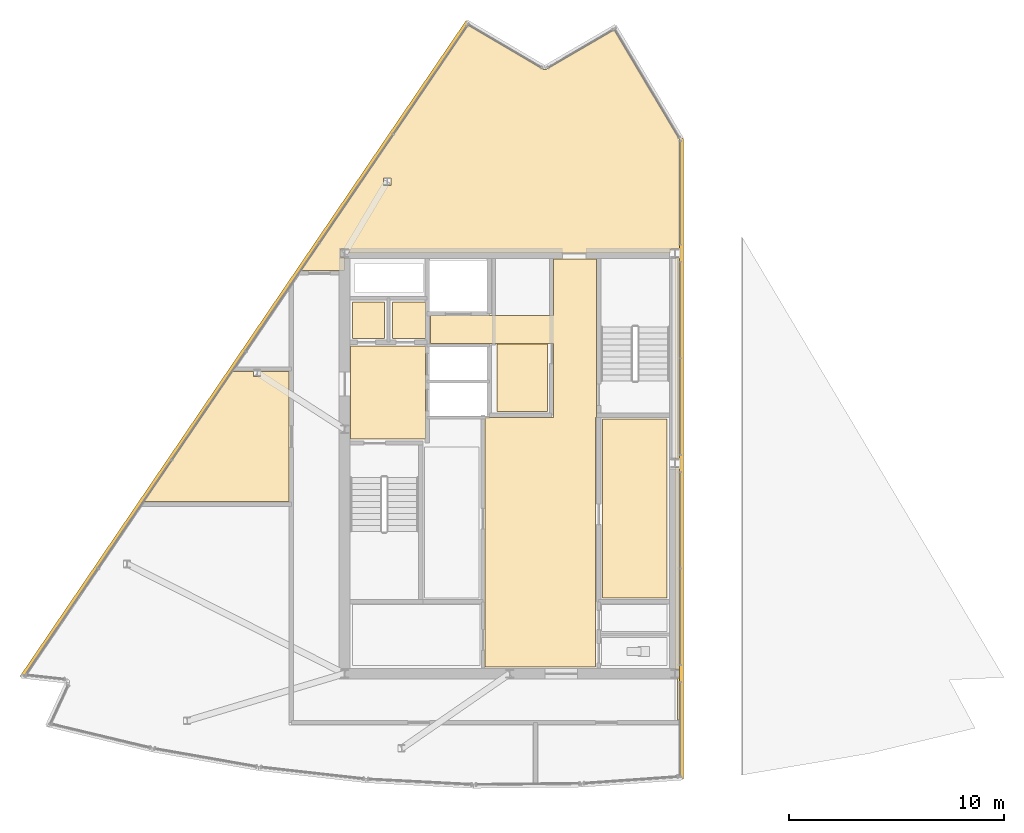
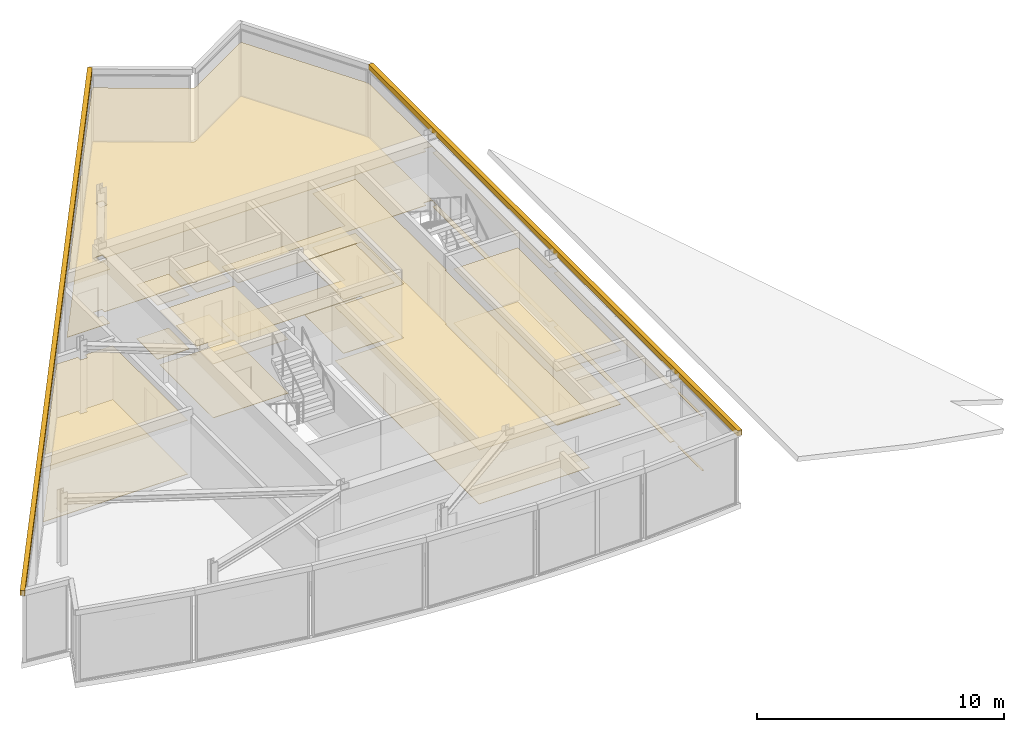
# One storey, part 8 of 10: 18 coverings.
"""IFC4 building model written with IfcOpenShell, lengths in metres."""

import ifcopenshell
import ifcopenshell.guid

model = None  # the IFC model being written
_history = None  # IfcOwnerHistory: only IFC2X3 demands one
_inside = {}  # id of a spatial element -> (the spatial element, [elements in it])
_under = {}  # id of a project, library or spatial element -> (it, [spatial elements below it])
_declared = {}  # id of a project -> (the project, [libraries it declares])
_typed = {}  # id of a type object -> (the type object, [elements of that type])
_made_of = {}  # id of a material, layer set ... -> (it, [elements and type objects made of it])


def new_model(schema):
    """Start an empty IFC model of exactly this schema.

    Asked for "IFC4X3", IfcOpenShell would pick the latest addendum, in which some entities
    have other attributes; the version numbers below select the first issue.
    IFC2X3 requires an IfcOwnerHistory on every rooted entity: one is made here for all.
    """
    global model, _history
    if schema == "IFC4X3":
        model = ifcopenshell.file(schema_version=(4, 3, 0, 0))
    else:
        model = ifcopenshell.file(schema=schema)
    _inside.clear()
    _under.clear()
    _declared.clear()
    _typed.clear()
    _made_of.clear()
    _history = None
    if model.schema == "IFC2X3":
        org = make("IfcOrganization", Name="unknown")
        user = make(
            "IfcPersonAndOrganization",
            ThePerson=make("IfcPerson", FamilyName="unknown"),
            TheOrganization=org,
        )
        app = make(
            "IfcApplication",
            ApplicationDeveloper=org,
            Version="unknown",
            ApplicationFullName="unknown",
            ApplicationIdentifier="unknown",
        )
        _history = make(
            "IfcOwnerHistory",
            OwningUser=user,
            OwningApplication=app,
            ChangeAction="ADDED",
            CreationDate=0,
        )
    return model


def make(cls, **values):
    """One entity of the class cls with the attributes given. An attribute that is None is left unset."""
    return model.create_entity(
        cls, **{name: value for name, value in values.items() if value is not None}
    )


def rooted(cls, **values):
    """An entity with a GlobalId (a new one), such as an element, a storey or a relation."""
    return make(cls, GlobalId=ifcopenshell.guid.new(), OwnerHistory=_history, **values)


def si_unit(unit_type, name, prefix=None):
    """IfcSIUnit, for example si_unit("LENGTHUNIT", "METRE", prefix="MILLI")."""
    return make("IfcSIUnit", UnitType=unit_type, Prefix=prefix, Name=name)


def assignment(units):
    """IfcUnitAssignment: the units of a project."""
    return None if units is None else make("IfcUnitAssignment", Units=units)


def point(xyz):
    """IfcCartesianPoint."""
    return None if xyz is None else make("IfcCartesianPoint", Coordinates=xyz)


def direction(xyz):
    """IfcDirection."""
    return None if xyz is None else make("IfcDirection", DirectionRatios=xyz)


def frame(location, z_axis=None, x_axis=None):
    """IfcAxis2Placement3D, a coordinate frame: its origin and axes. An axis left out is left unset."""
    return make(
        "IfcAxis2Placement3D",
        Location=point(location),
        Axis=direction(z_axis),
        RefDirection=direction(x_axis),
    )


def origin():
    """The frame at (0, 0, 0) with its axes left unset."""
    return frame((0.0, 0.0, 0.0))


def place(relative_to, where):
    """IfcLocalPlacement: puts the frame where relative to a parent placement (None: the world)."""
    return make(
        "IfcLocalPlacement", PlacementRelTo=relative_to, RelativePlacement=where
    )


def context(
    kind, dimensions, precision=None, world=None, true_north=None, identifier=None
):
    """IfcGeometricRepresentationContext, for example the 3D "Model" context."""
    return make(
        "IfcGeometricRepresentationContext",
        ContextIdentifier=identifier,
        ContextType=kind,
        CoordinateSpaceDimension=dimensions,
        Precision=precision,
        WorldCoordinateSystem=world,
        TrueNorth=true_north,
    )


def subcontext(parent, identifier, kind, view, scale=None):
    """IfcGeometricRepresentationSubContext, for example "Body" below "Model"."""
    return make(
        "IfcGeometricRepresentationSubContext",
        ContextIdentifier=identifier,
        ContextType=kind,
        ParentContext=parent,
        TargetScale=scale,
        TargetView=view,
    )


def project(units=None, contexts=None):
    """IfcProject with its units and contexts."""
    return rooted(
        "IfcProject",
        Name="project",
        RepresentationContexts=contexts,
        UnitsInContext=assignment(units),
    )


def spatial(cls, under=None, at=None, **own):
    """A site, building, storey or space (cls), placed at a placement, below another one or the project."""
    s = rooted(cls, ObjectPlacement=at, **own)
    if under is not None:
        _under.setdefault(under.id(), (under, []))[1].append(s)
    return s


def polyline(points):
    """IfcPolyline through the points."""
    return make("IfcPolyline", Points=[point(p) for p in points])


def outline(outer, holes=None, kind="AREA"):
    """IfcArbitraryClosedProfileDef: a profile drawn as a closed curve; with holes, ...WithVoids."""
    if holes is None:
        return make("IfcArbitraryClosedProfileDef", ProfileType=kind, OuterCurve=outer)
    return make(
        "IfcArbitraryProfileDefWithVoids",
        ProfileType=kind,
        OuterCurve=outer,
        InnerCurves=holes,
    )


def extrude(swept, where, along, depth):
    """IfcExtrudedAreaSolid: the profile swept, set in the frame where, extruded along a direction by depth."""
    return make(
        "IfcExtrudedAreaSolid",
        SweptArea=swept,
        Position=where,
        ExtrudedDirection=direction(along),
        Depth=depth,
    )


def shape(context_of_items, identifier, shape_type, items):
    """IfcShapeRepresentation: the items that make up one representation, for example the "Body"."""
    return make(
        "IfcShapeRepresentation",
        ContextOfItems=context_of_items,
        RepresentationIdentifier=identifier,
        RepresentationType=shape_type,
        Items=items,
    )


def material(Name=None, Category=None):
    """IfcMaterial."""
    return make("IfcMaterial", Name=Name, Category=Category)


def layer(
    of_material, thickness, ventilated=None, Name=None, Category=None, Priority=None
):
    """IfcMaterialLayer: one layer of a wall or slab, of a material (None: an air gap)."""
    return make(
        "IfcMaterialLayer",
        Material=of_material,
        LayerThickness=thickness,
        IsVentilated=ventilated,
        Name=Name,
        Category=Category,
        Priority=Priority,
    )


def layer_set(layers, Name=None):
    """IfcMaterialLayerSet."""
    return make("IfcMaterialLayerSet", MaterialLayers=layers, LayerSetName=Name)


def made_of(thing, what):
    """Note that an element or type object is made of a material, layer set ...; save() writes the relation."""
    if what is not None:
        _made_of.setdefault(what.id(), (what, []))[1].append(thing)
    return thing


def type_object(cls, material=None, **own):
    """A type object (cls), such as IfcWallType, which elements share."""
    return made_of(rooted(cls, **own), material)


def element(
    cls,
    number,
    at=None,
    inside=None,
    cuts=None,
    type_object=None,
    material=None,
    context=None,
    identifier="Body",
    shape_type=None,
    held_by="IfcProductDefinitionShape",
    body=None,
    shapes=None,
    **own,
):
    """One element of the class cls, such as IfcWall. Its Tag is "e" and its number.

    at: its placement. inside: the storey or other place that contains it. cuts: it is an
    opening in that element (IfcRelVoidsElement). A single representation is given by context,
    identifier, shape_type and body (its items); several are given by shapes. held_by: the class
    of the entity that holds the representations. save() writes the other relations.
    """
    e = rooted(cls, Tag="e%d" % number, ObjectPlacement=at, **own)
    if body is not None:
        shapes = [shape(context, identifier, shape_type, body)]
    if shapes is not None:
        e.Representation = make(held_by, Representations=shapes)
    if inside is not None:
        _inside.setdefault(inside.id(), (inside, []))[1].append(e)
    if cuts is not None:
        rooted(
            "IfcRelVoidsElement", RelatingBuildingElement=cuts, RelatedOpeningElement=e
        )
    if type_object is not None:
        _typed.setdefault(type_object.id(), (type_object, []))[1].append(e)
    return made_of(e, material)


def aggregate(whole, parts):
    """IfcRelAggregates: a whole, such as a stair, and the parts it consists of."""
    return rooted("IfcRelAggregates", RelatingObject=whole, RelatedObjects=parts)


def save(model, path):
    """Write the relations noted so far, then the file.

    IfcRelAggregates (storeys below a building ...), IfcRelContainedInSpatialStructure (elements
    in a storey), IfcRelDefinesByType, IfcRelAssociatesMaterial and IfcRelDeclares: one each for
    every whole, place, type object, material and project.
    """
    for whole, parts in _under.values():
        aggregate(whole, parts)
    for where, things in _inside.values():
        rooted(
            "IfcRelContainedInSpatialStructure",
            RelatedElements=things,
            RelatingStructure=where,
        )
    for kind, things in _typed.values():
        rooted("IfcRelDefinesByType", RelatedObjects=things, RelatingType=kind)
    for what, things in _made_of.values():
        rooted("IfcRelAssociatesMaterial", RelatedObjects=things, RelatingMaterial=what)
    for by, libraries in _declared.values():
        rooted("IfcRelDeclares", RelatingContext=by, RelatedDefinitions=libraries)
    model.write(path)


model = new_model("IFC4")

# Units and contexts
model_context = context("Model", 3, precision=1e-05, world=origin(), true_north=direction((0.0, 1.0)))
body_context = subcontext(model_context, "Body", "Model", "MODEL_VIEW")
ifc_project = project(units=[si_unit("LENGTHUNIT", "METRE"), si_unit("AREAUNIT", "SQUARE_METRE"), si_unit("VOLUMEUNIT", "CUBIC_METRE"), si_unit("PLANEANGLEUNIT", "RADIAN"), si_unit("MASSUNIT", "GRAM", prefix="KILO")], contexts=[model_context])

# Site, building, storey
site_placement = place(None, origin())
site = spatial("IfcSite", under=ifc_project, at=site_placement, CompositionType="ELEMENT")
building_placement = place(site_placement, origin())
building = spatial("IfcBuilding", under=site, at=building_placement, Name="Savorim Split Tower", CompositionType="ELEMENT")
storey_placement = place(building_placement, frame((0.0, 0.0, 315.60009765625)))
storey = spatial("IfcBuildingStorey", under=building, at=storey_placement, Name="Crown L84 Plant", CompositionType="ELEMENT", Elevation=315.60009765625)

# Coverings
ifc_material_1 = material(Name="Mineral Fibre Acoustic Ceiling")
ifc_layer_1 = layer(ifc_material_1, 0.02490234375)
ifc_layer_set_1 = layer_set([ifc_layer_1], Name="COV-CEIL-25")
covering_type_1 = type_object("IfcCoveringType", Name="COV-CEIL-25", PredefinedType="CEILING", material=ifc_layer_set_1)
covering_1_placement = place(storey_placement, frame((0.0, 0.0, 2.659912109375)))
element("IfcCovering", 1, at=covering_1_placement, inside=storey, type_object=covering_type_1, Name="Crown L84 Plant Crown Stair Lobby Acoustic Ceiling", PredefinedType="CEILING", context=body_context, shape_type="SweptSolid", body=[
    extrude(outline(polyline([(-7.429931640625, 5.8701171875), (-7.429931640625, 1.530029296875), (-3.929931640625, 1.530029296875), (-3.929931640625, 5.8701171875), (-7.429931640625, 5.8701171875)])), origin(), (0.0, 0.0, 1.0), 0.02490234375),
])
covering_2_placement = place(storey_placement, frame((0.0, 0.0, 2.659912109375)))
element("IfcCovering", 2, at=covering_2_placement, inside=storey, type_object=covering_type_1, Name="Crown L84 Plant Electrical Riser Acoustic Ceiling", PredefinedType="CEILING", context=body_context, shape_type="SweptSolid", body=[
    extrude(outline(polyline([(-7.320068359375, 7.919921875), (-7.320068359375, 6.22998046875), (-5.830078125, 6.22998046875), (-5.830078125, 7.919921875), (-7.320068359375, 7.919921875)])), origin(), (0.0, 0.0, 1.0), 0.02490234375),
])
covering_3_placement = place(storey_placement, frame((0.0, 0.0, 2.659912109375)))
element("IfcCovering", 3, at=covering_3_placement, inside=storey, type_object=covering_type_1, Name="Crown L84 Plant Telecom Riser Acoustic Ceiling", PredefinedType="CEILING", context=body_context, shape_type="SweptSolid", body=[
    extrude(outline(polyline([(-5.469970703125, 7.919921875), (-5.469970703125, 6.22998046875), (-3.929931640625, 6.22998046875), (-3.929931640625, 7.919921875), (-5.469970703125, 7.919921875)])), origin(), (0.0, 0.0, 1.0), 0.02490234375),
])
covering_4_placement = place(storey_placement, frame((0.0, 0.0, 2.659912109375)))
element("IfcCovering", 4, at=covering_4_placement, inside=storey, type_object=covering_type_1, Name="Crown L84 Plant Lift Lobby Acoustic Ceiling", PredefinedType="CEILING", context=body_context, shape_type="SweptSolid", body=[
    extrude(outline(polyline([(2.050048828125, 2.550048828125), (-1.14990234375, 2.550048828125), (-1.14990234375, -9.10009765625), (4.0, -9.10009765625), (4.0, 2.550048828125), (4.050048828125, 2.550048828125), (4.050048828125, 5.97998046875), (4.050048828125, 7.300048828125), (4.050048828125, 9.929931640625), (2.050048828125, 9.929931640625), (2.050048828125, 7.300048828125), (-3.699951171875, 7.300048828125), (-3.699951171875, 5.97998046875), (2.050048828125, 5.97998046875), (2.050048828125, 2.550048828125)])), origin(), (0.0, 0.0, 1.0), 0.02490234375),
])
covering_5_placement = place(storey_placement, frame((0.0, 0.0, 2.659912109375)))
element("IfcCovering", 5, at=covering_5_placement, inside=storey, type_object=covering_type_1, Name="Crown L84 Plant Substructure Core Store East Acoustic Ceiling", PredefinedType="CEILING", context=body_context, shape_type="SweptSolid", body=[
    extrude(outline(polyline([(4.330078125, 2.469970703125), (4.330078125, -5.8701171875), (7.320068359375, -5.8701171875), (7.320068359375, 2.469970703125), (4.330078125, 2.469970703125)])), origin(), (0.0, 0.0, 1.0), 0.02490234375),
])
covering_6_placement = place(storey_placement, frame((0.0, 0.0, 2.659912109375)))
element("IfcCovering", 6, at=covering_6_placement, inside=storey, type_object=covering_type_1, Name="Crown L84 Plant Crown BMS Plant Room Acoustic Ceiling", PredefinedType="CEILING", context=body_context, shape_type="SweptSolid", body=[
    extrude(outline(polyline([(1.77001953125, 5.969970703125), (-0.60009765625, 5.969970703125), (-0.60009765625, 2.830078125), (1.77001953125, 2.830078125), (1.77001953125, 5.969970703125)])), origin(), (0.0, 0.0, 1.0), 0.02490234375),
])
covering_7_placement = place(storey_placement, frame((0.0, 0.0, 2.659912109375)))
element("IfcCovering", 7, at=covering_7_placement, inside=storey, type_object=covering_type_1, Name="Crown L84 Plant Booster Pump Plant Room Acoustic Ceiling", PredefinedType="CEILING", context=body_context, shape_type="SweptSolid", body=[
    extrude(outline(polyline([(1.574951171875, 18.767333984375), (1.56298828125, 18.773681640625), (-1.9404296875, 20.832763671875), (-9.718017578125, 9.39990234375), (-7.699951171875, 9.39990234375), (-7.699951171875, 10.00390625), (-7.89697265625, 10.00390625), (-7.89697265625, 10.39599609375), (-7.5029296875, 10.39599609375), (-7.5029296875, 10.199951171875), (7.5029296875, 10.199951171875), (7.5029296875, 10.39599609375), (7.89697265625, 10.39599609375), (7.89697265625, 10.00390625), (7.699951171875, 10.00390625), (7.699951171875, 0.595947265625), (7.89697265625, 0.595947265625), (7.89697265625, 0.2041015625), (7.699951171875, 0.2041015625), (7.699951171875, -9.2041015625), (7.89697265625, -9.2041015625), (7.89697265625, -9.595947265625), (7.820068359375, -9.595947265625), (7.820068359375, -11.56005859375), (7.909912109375, -11.56005859375), (7.909912109375, 15.50732421875), (4.87060546875, 20.618896484375), (1.70458984375, 18.7734375), (1.6923828125, 18.76708984375), (1.679931640625, 18.76220703125), (1.6669921875, 18.75830078125), (1.65380859375, 18.755859375), (1.640380859375, 18.754638671875), (1.626953125, 18.754638671875), (1.613525390625, 18.755859375), (1.600341796875, 18.758544921875), (1.58740234375, 18.762451171875), (1.574951171875, 18.767333984375)]), holes=[polyline([(-5.875244140625, 13.3671875), (-5.545166015625, 13.3671875), (-5.545166015625, 13.71728515625), (-5.875244140625, 13.71728515625), (-5.875244140625, 13.3671875)])]), origin(), (0.0, 0.0, 1.0), 0.02490234375),
])
covering_8_placement = place(storey_placement, frame((0.0, 0.0, 2.659912109375)))
element("IfcCovering", 8, at=covering_8_placement, inside=storey, type_object=covering_type_1, Name="Crown L84 Plant Smoke Extract Fan Plant Room Acoustic Ceiling", PredefinedType="CEILING", context=body_context, shape_type="SweptSolid", body=[
    extrude(outline(polyline([(-11.940185546875, 4.679931640625), (-12.8955078125, 4.679931640625), (-12.9287109375, 4.679931640625), (-17.05126953125, -1.3798828125), (-10.300048828125, -1.3798828125), (-10.300048828125, 4.679931640625), (-11.6103515625, 4.679931640625), (-11.6103515625, 4.451904296875), (-11.940185546875, 4.451904296875), (-11.940185546875, 4.679931640625)])), origin(), (0.0, 0.0, 1.0), 0.02490234375),
])
ifc_material_2 = material(Name="Terracotta Ceramic-Coated Aluminium Fin", Category="masonry")
ifc_layer_2 = layer(ifc_material_2, 0.050048828125)
ifc_layer_set_2 = layer_set([ifc_layer_2], Name="COV-CLAD-TERRA")
covering_type_2 = type_object("IfcCoveringType", Name="COV-CLAD-TERRA", PredefinedType="CLADDING", material=ifc_layer_set_2)
covering_9_placement = place(storey_placement, frame((0.0, 0.0, 3.33984375)))
element("IfcCovering", 9, at=covering_9_placement, inside=storey, type_object=covering_type_2, Name="Crown L84 Plant Sloped Crest Eave Spandrel W1", PredefinedType="CLADDING", context=body_context, shape_type="SweptSolid", body=[
    extrude(outline(polyline([(8.110107421875, -14.3056640625), (8.110107421875, 15.5458984375), (7.909912109375, 15.5458984375), (7.909912109375, -14.3056640625), (8.110107421875, -14.3056640625)])), origin(), (0.0, 0.0, 1.0), 0.260009765625),
])
covering_10_placement = place(storey_placement, frame((0.0, 0.0, 3.33984375)))
element("IfcCovering", 10, at=covering_10_placement, inside=storey, type_object=covering_type_2, Name="Crown L84 Plant Sloped Crest Eave Spandrel W5", PredefinedType="CLADDING", context=body_context, shape_type="SweptSolid", body=[
    extrude(outline(polyline([(-2.031982421875, 21.0537109375), (-22.830810546875, -9.52001953125), (-22.665283203125, -9.632568359375), (-1.86669921875, 20.941162109375), (-2.031982421875, 21.0537109375)])), origin(), (0.0, 0.0, 1.0), 0.260009765625),
])
ifc_material_3 = material(Name="Porcelain Stoneware Flooring", Category="masonry")
ifc_layer_3 = layer(ifc_material_3, 0.02001953125)
ifc_layer_set_3 = layer_set([ifc_layer_3], Name="COV-FLOR-20")
covering_type_3 = type_object("IfcCoveringType", Name="COV-FLOR-20", PredefinedType="FLOORING", material=ifc_layer_set_3)
covering_11_placement = place(storey_placement, origin())
element("IfcCovering", 11, at=covering_11_placement, inside=storey, type_object=covering_type_3, Name="Crown L84 Plant Crown Stair Lobby Porcelain Flooring", PredefinedType="FLOORING", context=body_context, shape_type="SweptSolid", body=[
    extrude(outline(polyline([(-7.429931640625, 5.8701171875), (-7.429931640625, 1.530029296875), (-3.929931640625, 1.530029296875), (-3.929931640625, 5.8701171875), (-7.429931640625, 5.8701171875)])), origin(), (0.0, 0.0, 1.0), 0.02001953125),
])
covering_12_placement = place(storey_placement, origin())
element("IfcCovering", 12, at=covering_12_placement, inside=storey, type_object=covering_type_3, Name="Crown L84 Plant Electrical Riser Porcelain Flooring", PredefinedType="FLOORING", context=body_context, shape_type="SweptSolid", body=[
    extrude(outline(polyline([(-7.320068359375, 7.919921875), (-7.320068359375, 6.22998046875), (-5.830078125, 6.22998046875), (-5.830078125, 7.919921875), (-7.320068359375, 7.919921875)])), origin(), (0.0, 0.0, 1.0), 0.02001953125),
])
covering_13_placement = place(storey_placement, origin())
element("IfcCovering", 13, at=covering_13_placement, inside=storey, type_object=covering_type_3, Name="Crown L84 Plant Telecom Riser Porcelain Flooring", PredefinedType="FLOORING", context=body_context, shape_type="SweptSolid", body=[
    extrude(outline(polyline([(-5.469970703125, 7.919921875), (-5.469970703125, 6.22998046875), (-3.929931640625, 6.22998046875), (-3.929931640625, 7.919921875), (-5.469970703125, 7.919921875)])), origin(), (0.0, 0.0, 1.0), 0.02001953125),
])
covering_14_placement = place(storey_placement, origin())
element("IfcCovering", 14, at=covering_14_placement, inside=storey, type_object=covering_type_3, Name="Crown L84 Plant Lift Lobby Porcelain Flooring", PredefinedType="FLOORING", context=body_context, shape_type="SweptSolid", body=[
    extrude(outline(polyline([(2.050048828125, 2.550048828125), (-1.14990234375, 2.550048828125), (-1.14990234375, -9.10009765625), (4.0, -9.10009765625), (4.0, 2.550048828125), (4.050048828125, 2.550048828125), (4.050048828125, 5.97998046875), (4.050048828125, 7.300048828125), (4.050048828125, 9.929931640625), (2.050048828125, 9.929931640625), (2.050048828125, 7.300048828125), (-3.699951171875, 7.300048828125), (-3.699951171875, 5.97998046875), (2.050048828125, 5.97998046875), (2.050048828125, 2.550048828125)])), origin(), (0.0, 0.0, 1.0), 0.02001953125),
])
covering_15_placement = place(storey_placement, origin())
element("IfcCovering", 15, at=covering_15_placement, inside=storey, type_object=covering_type_3, Name="Crown L84 Plant Substructure Core Store East Porcelain Flooring", PredefinedType="FLOORING", context=body_context, shape_type="SweptSolid", body=[
    extrude(outline(polyline([(4.330078125, 2.469970703125), (4.330078125, -5.8701171875), (7.320068359375, -5.8701171875), (7.320068359375, 2.469970703125), (4.330078125, 2.469970703125)])), origin(), (0.0, 0.0, 1.0), 0.02001953125),
])
covering_16_placement = place(storey_placement, origin())
element("IfcCovering", 16, at=covering_16_placement, inside=storey, type_object=covering_type_3, Name="Crown L84 Plant Crown BMS Plant Room Porcelain Flooring", PredefinedType="FLOORING", context=body_context, shape_type="SweptSolid", body=[
    extrude(outline(polyline([(1.77001953125, 5.969970703125), (-0.60009765625, 5.969970703125), (-0.60009765625, 2.830078125), (1.77001953125, 2.830078125), (1.77001953125, 5.969970703125)])), origin(), (0.0, 0.0, 1.0), 0.02001953125),
])
covering_17_placement = place(storey_placement, origin())
element("IfcCovering", 17, at=covering_17_placement, inside=storey, type_object=covering_type_3, Name="Crown L84 Plant Booster Pump Plant Room Porcelain Flooring", PredefinedType="FLOORING", context=body_context, shape_type="SweptSolid", body=[
    extrude(outline(polyline([(1.574951171875, 18.767333984375), (1.56298828125, 18.773681640625), (-1.9404296875, 20.832763671875), (-9.718017578125, 9.39990234375), (-7.699951171875, 9.39990234375), (-7.699951171875, 10.00390625), (-7.89697265625, 10.00390625), (-7.89697265625, 10.39599609375), (-7.5029296875, 10.39599609375), (-7.5029296875, 10.199951171875), (7.5029296875, 10.199951171875), (7.5029296875, 10.39599609375), (7.89697265625, 10.39599609375), (7.89697265625, 10.00390625), (7.699951171875, 10.00390625), (7.699951171875, 0.595947265625), (7.89697265625, 0.595947265625), (7.89697265625, 0.2041015625), (7.699951171875, 0.2041015625), (7.699951171875, -9.2041015625), (7.89697265625, -9.2041015625), (7.89697265625, -9.595947265625), (7.820068359375, -9.595947265625), (7.820068359375, -11.56005859375), (7.909912109375, -11.56005859375), (7.909912109375, 15.50732421875), (4.87060546875, 20.618896484375), (1.70458984375, 18.7734375), (1.6923828125, 18.76708984375), (1.679931640625, 18.76220703125), (1.6669921875, 18.75830078125), (1.65380859375, 18.755859375), (1.640380859375, 18.754638671875), (1.626953125, 18.754638671875), (1.613525390625, 18.755859375), (1.600341796875, 18.758544921875), (1.58740234375, 18.762451171875), (1.574951171875, 18.767333984375)]), holes=[polyline([(-5.875244140625, 13.3671875), (-5.545166015625, 13.3671875), (-5.545166015625, 13.71728515625), (-5.875244140625, 13.71728515625), (-5.875244140625, 13.3671875)])]), origin(), (0.0, 0.0, 1.0), 0.02001953125),
])
covering_18_placement = place(storey_placement, origin())
element("IfcCovering", 18, at=covering_18_placement, inside=storey, type_object=covering_type_3, Name="Crown L84 Plant Smoke Extract Fan Plant Room Porcelain Flooring", PredefinedType="FLOORING", context=body_context, shape_type="SweptSolid", body=[
    extrude(outline(polyline([(-11.940185546875, 4.679931640625), (-12.8955078125, 4.679931640625), (-12.9287109375, 4.679931640625), (-17.05126953125, -1.3798828125), (-10.300048828125, -1.3798828125), (-10.300048828125, 4.679931640625), (-11.6103515625, 4.679931640625), (-11.6103515625, 4.451904296875), (-11.940185546875, 4.451904296875), (-11.940185546875, 4.679931640625)])), origin(), (0.0, 0.0, 1.0), 0.02001953125),
])

save(model, "model.ifc")
